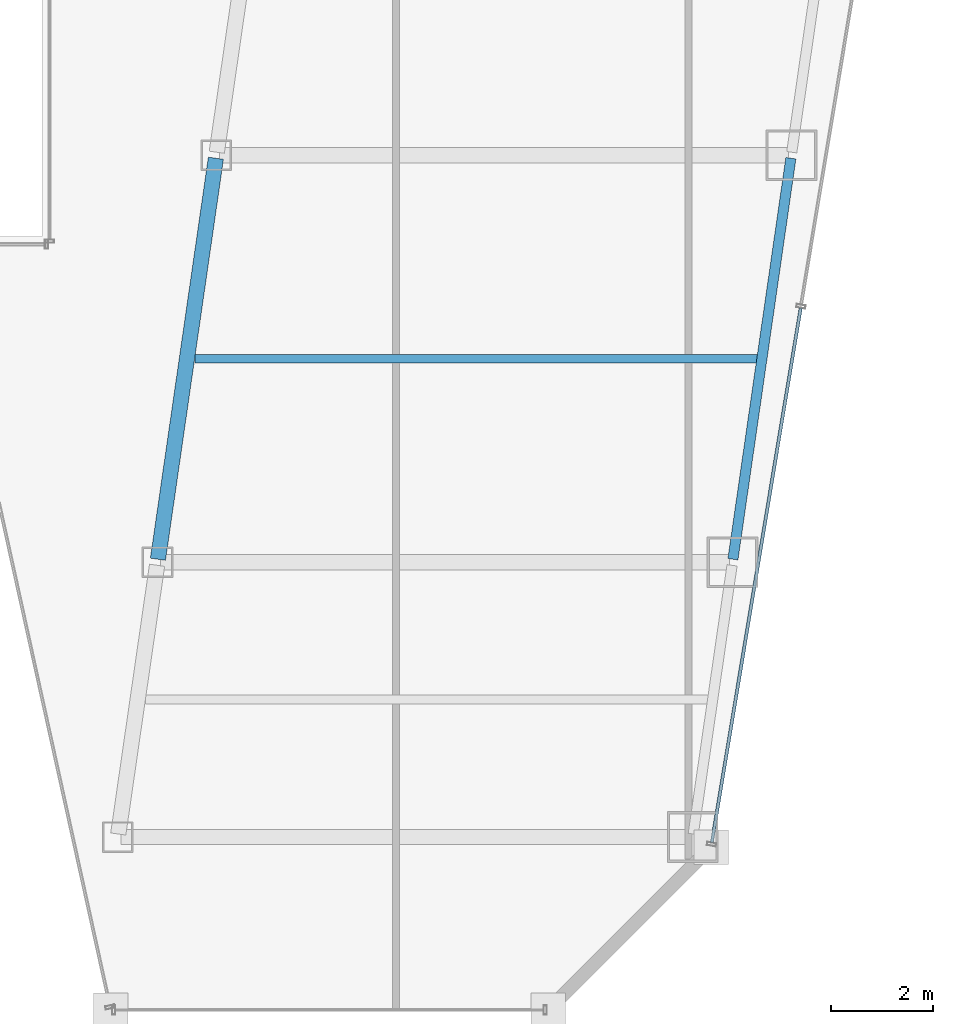
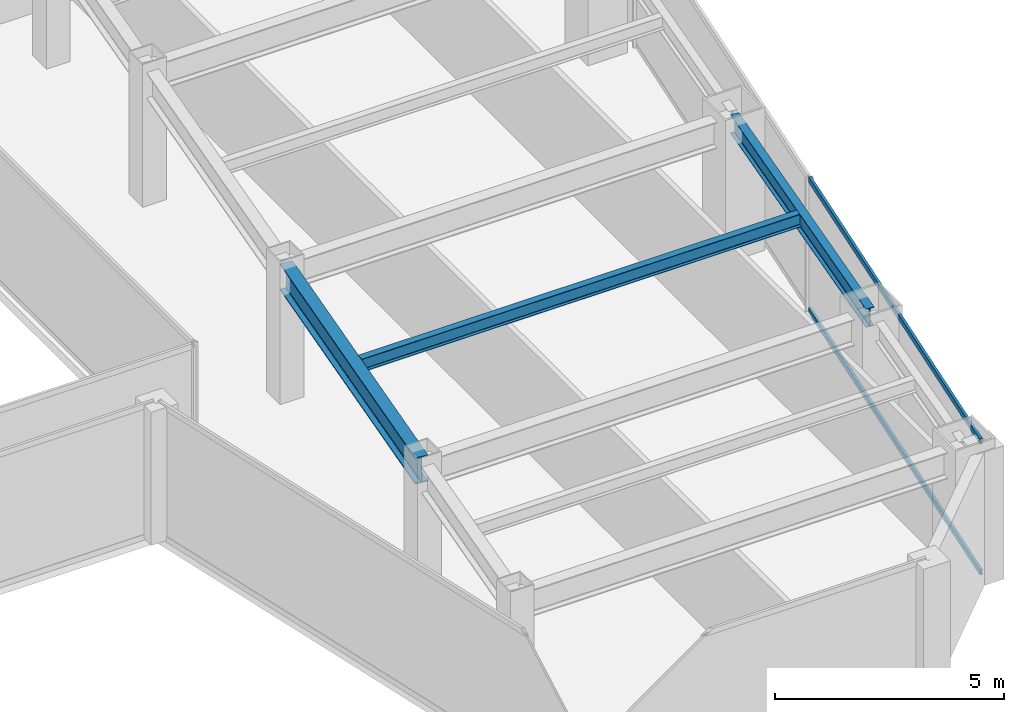
# One storey, part 15 of 36: 3 beams, 2 members, 1 element without a shape of its own.
"""IFC4 building model written with IfcOpenShell, lengths in metres."""

from ifc_helpers import new_model, si_unit, direction, frame, origin, origin_2d, place, context, subcontext, project, spatial, hollow_rectangle, i_section, extrude, material, material_profile, profile_set, type_object, element, aggregate, save


model = new_model("IFC4")

# Units and contexts
model_context = context("Model", 3, precision=1e-05, world=origin(), true_north=direction((0.0, 1.0)))
body_context = subcontext(model_context, "Body", "Model", "MODEL_VIEW")
ifc_project = project(units=[si_unit("LENGTHUNIT", "METRE"), si_unit("AREAUNIT", "SQUARE_METRE"), si_unit("VOLUMEUNIT", "CUBIC_METRE"), si_unit("PLANEANGLEUNIT", "RADIAN"), si_unit("MASSUNIT", "GRAM", prefix="KILO")], contexts=[model_context])

# Site, building, storey
site_placement = place(None, origin())
site = spatial("IfcSite", under=ifc_project, at=site_placement, CompositionType="ELEMENT")
building_placement = place(site_placement, origin())
building = spatial("IfcBuilding", under=site, at=building_placement, Name="Saevonmaru Cultural Tower", CompositionType="ELEMENT")
storey_placement = place(building_placement, frame((0.0, 0.0, 156.199951171875)))
storey = spatial("IfcBuildingStorey", under=building, at=storey_placement, Name="L34", CompositionType="ELEMENT", Elevation=156.199951171875)

# Beams
ifc_material_1 = material(Name="Steel SM355", Category="steel")
ifc_material_profile_1 = material_profile(ifc_material_1, i_section(OverallWidth=0.300048828125, OverallDepth=0.699951171875, WebThickness=0.012939453125, FlangeThickness=0.02392578125, FilletRadius=0.02587890625, at=origin_2d()), Name="H-700x300x13x24")
ifc_profile_set_1 = profile_set([ifc_material_profile_1], Name="Steel SM355")
beam_type_1 = type_object("IfcBeamType", Name="BM-G-H700", PredefinedType="BEAM", material=ifc_profile_set_1)
beam_1_placement = place(storey_placement, frame((38.08056640625, 16.059326171875, 3.199951171875), z_axis=(0.143022161059, 0.989719486241, 0.0), x_axis=(-0.989719486241, 0.143022161059, 0.0)))
element("IfcBeam", 1, at=beam_1_placement, inside=storey, type_object=beam_type_1, Name="L34 East Atrium Girder 2", PredefinedType="BEAM", context=body_context, shape_type="SweptSolid", body=[
    extrude(i_section(OverallWidth=0.300048828125, OverallDepth=0.699951171875, WebThickness=0.012939453125, FlangeThickness=0.02392578125, FilletRadius=0.02587890625, at=origin_2d()), origin(), (0.0, 0.0, 1.0), 7.963134765625),
])
ifc_material_profile_2 = material_profile(ifc_material_1, i_section(OverallWidth=0.175048828125, OverallDepth=0.35009765625, WebThickness=0.007080078125, FlangeThickness=0.010986328125, FilletRadius=0.012939453125, at=origin_2d()), Name="H-350x175x7x11")
ifc_profile_set_2 = profile_set([ifc_material_profile_2], Name="Steel SM355")
beam_type_2 = type_object("IfcBeamType", Name="BM-J-H350", PredefinedType="JOIST", material=ifc_profile_set_2)
beam_2_placement = place(storey_placement, frame((38.80810546875, 20.0, 3.375), z_axis=(1.0, 0.0, 0.0), x_axis=(0.0, 1.0, 0.0)))
element("IfcBeam", 2, at=beam_2_placement, inside=storey, type_object=beam_type_2, Name="L34 East Wing Floor Joist 2", PredefinedType="JOIST", context=body_context, shape_type="SweptSolid", body=[
    extrude(i_section(OverallWidth=0.175048828125, OverallDepth=0.35009765625, WebThickness=0.007080078125, FlangeThickness=0.010986328125, FilletRadius=0.012939453125, at=origin_2d()), origin(), (0.0, 0.0, 1.0), 11.081787109375),
])
ifc_material_profile_3 = material_profile(ifc_material_1, i_section(OverallWidth=0.199951171875, OverallDepth=0.5, WebThickness=0.010009765625, FlangeThickness=0.01611328125, FilletRadius=0.02001953125, at=origin_2d()), Name="H-500x200x10x16")
ifc_profile_set_3 = profile_set([ifc_material_profile_3], Name="Steel SM355")
beam_type_3 = type_object("IfcBeamType", Name="BM-SP-H500", PredefinedType="SPANDREL", material=ifc_profile_set_3)
beam_3_placement = place(storey_placement, frame((49.380615234375, 16.059326171875, 3.300048828125), z_axis=(0.142992129437, 0.989723825579, 0.0), x_axis=(-0.989723825579, 0.142992129437, 0.0)))
element("IfcBeam", 3, at=beam_3_placement, inside=storey, type_object=beam_type_3, Name="L34 East Splayed Spandrel 2", PredefinedType="SPANDREL", context=body_context, shape_type="SweptSolid", body=[
    extrude(i_section(OverallWidth=0.199951171875, OverallDepth=0.5, WebThickness=0.010009765625, FlangeThickness=0.01611328125, FilletRadius=0.02001953125, at=origin_2d()), origin(), (0.0, 0.0, 1.0), 7.963134765625),
])

# Curtain wall, members
ifc_material_2 = material(Name="Satin Bronze Anodised Aluminium", Category="aluminium")
curtain_wall_type = type_object("IfcCurtainWallType", Name="CW-TYP-A", PredefinedType="NOTDEFINED", material=ifc_material_2)
curtain_wall_placement = place(storey_placement, origin())
curtain_wall = element("IfcCurtainWall", 4, at=curtain_wall_placement, inside=storey, type_object=curtain_wall_type, Name="L34 Unitised Curtain Wall E8", PredefinedType="NOTDEFINED")
ifc_material_profile_4 = material_profile(ifc_material_2, hollow_rectangle(XDim=0.06494140625, YDim=0.14990234375, WallThickness=0.00390625, at=origin_2d()), Name="ALU-TRAN-150x65x4")
ifc_profile_set_4 = profile_set([ifc_material_profile_4], Name="Satin Bronze Anodised Aluminium")
member_type = type_object("IfcMemberType", Name="TR-CW-150x65", PredefinedType="USERDEFINED", material=ifc_profile_set_4)
member_1_placement = place(storey_placement, frame((48.96630859375, 10.4912109375, 0.032470703125), z_axis=(0.163990079074, 0.9864619881, 0.0), x_axis=(-0.9864619881, 0.163990079074, 0.0)))
member_1 = element("IfcMember", 5, at=member_1_placement, type_object=member_type, Name="CW-TW-L34-E8 transom 1.1", ObjectType="TRANSOM", PredefinedType="USERDEFINED", context=body_context, shape_type="SweptSolid", body=[
    extrude(hollow_rectangle(XDim=0.06494140625, YDim=0.14990234375, WallThickness=0.00390625, at=origin_2d()), origin(), (0.0, 0.0, 1.0), 10.650634765625),
])
member_2_placement = place(storey_placement, frame((48.96630859375, 10.4912109375, 3.517578125), z_axis=(0.163990079074, 0.9864619881, 0.0), x_axis=(-0.9864619881, 0.163990079074, 0.0)))
member_2 = element("IfcMember", 6, at=member_2_placement, type_object=member_type, Name="CW-TW-L34-E8 transom 1.2", ObjectType="TRANSOM", PredefinedType="USERDEFINED", context=body_context, shape_type="SweptSolid", body=[
    extrude(hollow_rectangle(XDim=0.06494140625, YDim=0.14990234375, WallThickness=0.00390625, at=origin_2d()), origin(), (0.0, 0.0, 1.0), 10.650634765625),
])
aggregate(curtain_wall, [member_1, member_2])

save(model, "model.ifc")
